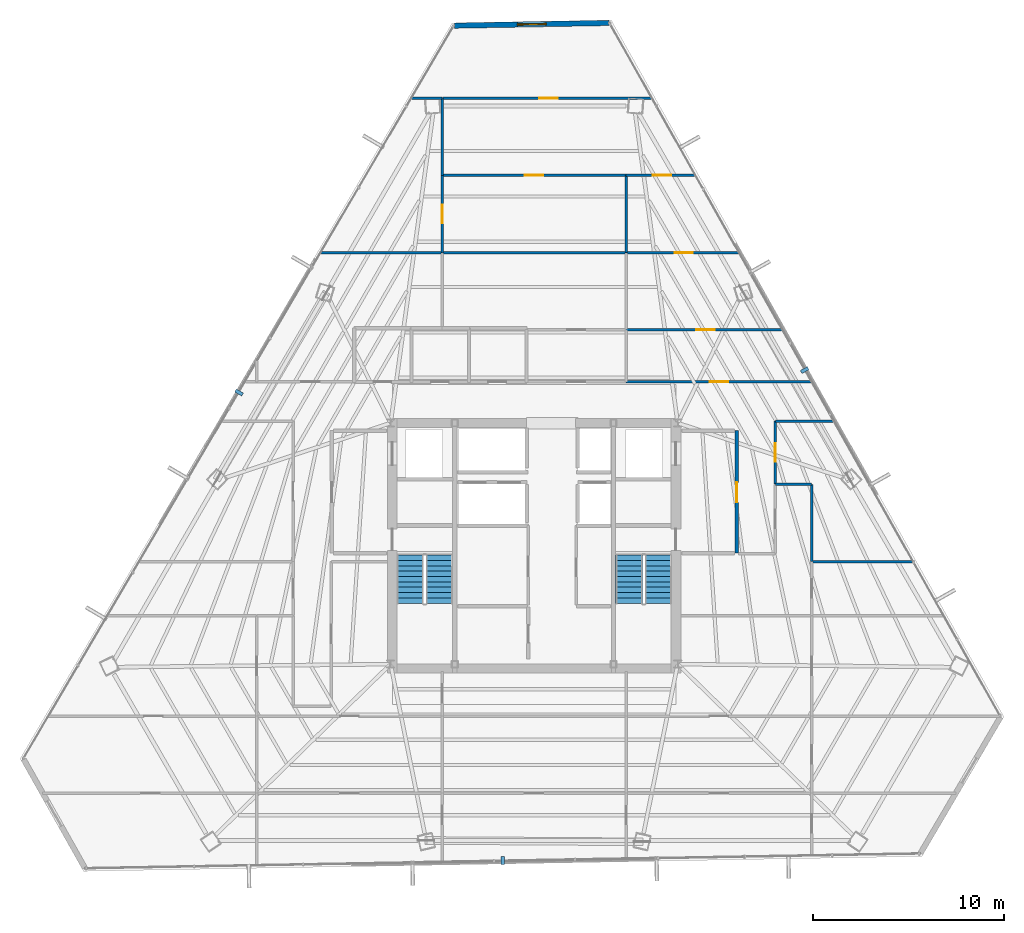
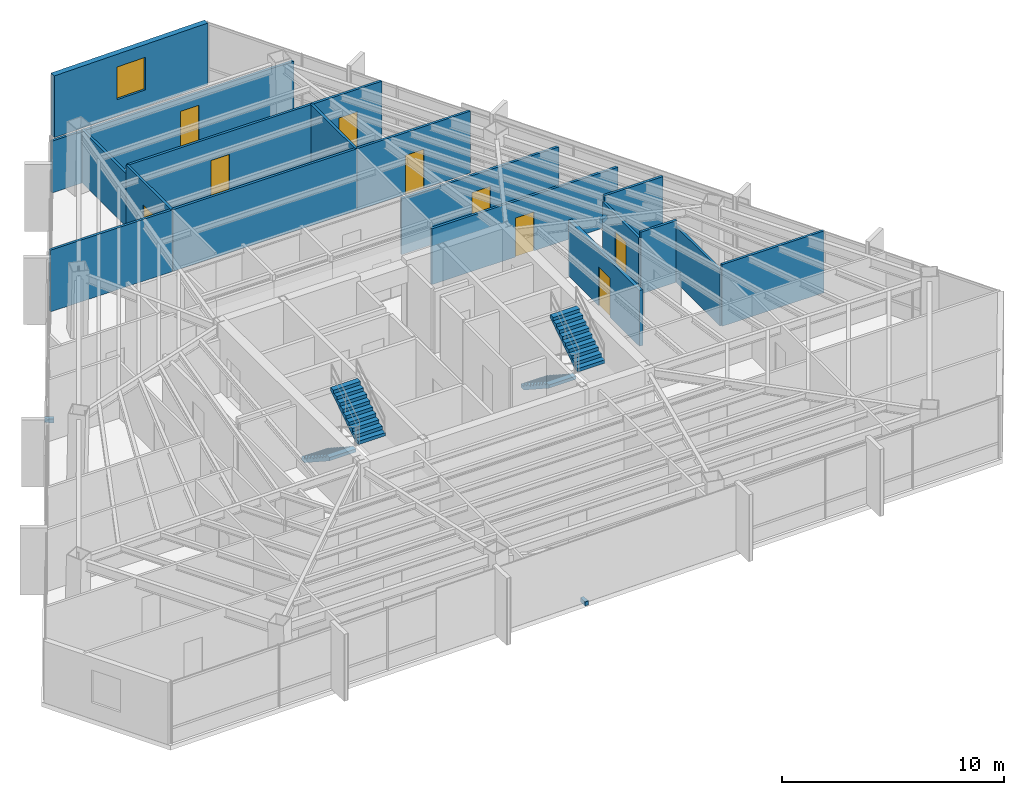
# One storey, part 38 of 42: 19 walls, 9 doors, 4 stair flights, 3 discrete accessories, 1 window, 10 openings, 2 elements without a shape of their own.
"""IFC4 building model written with IfcOpenShell, lengths in metres."""

from ifc_helpers import new_model, si_unit, direction, frame, frame_2d, origin, origin_2d, place, context, subcontext, project, spatial, polyline, rectangle, outline, extrude, source, transform, mapped, material, layer, layer_set, type_object, type_shapes, element, fill, aggregate, save


model = new_model("IFC4")

# Units and contexts
model_context = context("Model", 3, precision=1e-05, world=origin(), true_north=direction((0.0, 1.0)))
body_context = subcontext(model_context, "Body", "Model", "MODEL_VIEW")
ifc_project = project(units=[si_unit("LENGTHUNIT", "METRE"), si_unit("AREAUNIT", "SQUARE_METRE"), si_unit("VOLUMEUNIT", "CUBIC_METRE"), si_unit("PLANEANGLEUNIT", "RADIAN"), si_unit("MASSUNIT", "GRAM", prefix="KILO")], contexts=[model_context])

# Site, building, storey
site_placement = place(None, origin())
site = spatial("IfcSite", under=ifc_project, at=site_placement, CompositionType="ELEMENT")
building_placement = place(site_placement, origin())
building = spatial("IfcBuilding", under=site, at=building_placement, Name="Caelisora Broadcast Tower", CompositionType="ELEMENT")
storey_placement = place(building_placement, frame((0.0, 0.0, 195.0)))
storey = spatial("IfcBuildingStorey", under=building, at=storey_placement, Name="L51", CompositionType="ELEMENT", Elevation=195.0)

# Wall, opening, window
ifc_material_1 = material(Name="Insulated Terracotta Spandrel Wall System", Category="masonry")
ifc_layer_1 = layer(ifc_material_1, 0.280029296875, Name="Insulated Terracotta Spandrel Wall System")
ifc_layer_set_1 = layer_set([ifc_layer_1], Name="Insulated Terracotta Spandrel Wall System")
wall_type_1 = type_object("IfcWallType", Name="EW1", PredefinedType="STANDARD", material=ifc_layer_set_1)
wall_1_placement = place(storey_placement, frame((33.83203125, 50.763427734375, 0.0), z_axis=(0.0, 0.0, 1.0), x_axis=(0.999845453456, 0.017580364166, 0.0)))
wall_1 = element("IfcWall", 1, at=wall_1_placement, inside=storey, type_object=wall_type_1, Name="L51 exterior envelope wall EW1", PredefinedType="STANDARD", context=body_context, shape_type="SweptSolid", body=[
    extrude(rectangle(XDim=8.082275390625, YDim=0.280029296875, at=frame_2d((4.041015625, 0.0))), origin(), (0.0, 0.0, 1.0), 3.39990234375),
])
opening_1_placement = place(wall_1_placement, frame((3.2900390625, 0.0, 0.89990234375)))
opening_1 = element("IfcOpeningElement", 2, at=opening_1_placement, cuts=wall_1, Name="Opening W02", PredefinedType="OPENING", context=body_context, shape_type="SweptSolid", body=[
    extrude(rectangle(XDim=1.5, YDim=1.800048828125, at=frame_2d((0.75, 0.89990234375))), frame((0.0, 0.152099609375, 0.0), z_axis=(0.0, -1.0, 0.0), x_axis=(1.0, 0.0, 0.0)), (0.0, 0.0, 1.0), 0.303955078125),
])
ifc_material_2 = material(Name="Double Glazed Terracotta-Framed Vision Window", Category="glass")
window_type = type_object("IfcWindowType", Name="W02", PartitioningType="SINGLE_PANEL", PredefinedType="WINDOW", material=ifc_material_2)
window_placement = place(opening_1_placement, origin())
window = element("IfcWindow", 3, at=window_placement, inside=storey, type_object=window_type, Name="L51 window W02 (L51-WN-CH8)", OverallHeight=1.800048828125, OverallWidth=1.5, PartitioningType="SINGLE_PANEL", PredefinedType="WINDOW", context=body_context, shape_type="SweptSolid", body=[
    extrude(rectangle(XDim=1.5, YDim=1.800048828125, at=frame_2d((0.75, 0.89990234375))), frame((0.0, 0.030029296875, 0.0), z_axis=(0.0, -1.0, 0.0), x_axis=(1.0, 0.0, 0.0)), (0.0, 0.0, 1.0), 0.06005859375),
])
fill(opening_1, window)

# Wall, opening, door
ifc_material_3 = material(Name="Fire-Rated Gypsum Shaft and Compartment Wall", Category="gypsum")
ifc_layer_2 = layer(ifc_material_3, 0.179931640625, Name="Fire-Rated Gypsum Shaft and Compartment Wall")
ifc_layer_set_2 = layer_set([ifc_layer_2], Name="Fire-Rated Gypsum Shaft and Compartment Wall")
wall_type_2 = type_object("IfcWallType", Name="PW2", PredefinedType="PARTITIONING", material=ifc_layer_set_2)
wall_2_placement = place(storey_placement, frame((48.580078125, 23.199951171875, 0.0), z_axis=(0.0, 0.0, 1.0), x_axis=(0.0, 1.0, 0.0)))
wall_2 = element("IfcWall", 4, at=wall_2_placement, inside=storey, type_object=wall_type_2, Name="L51 fire compartment wall PW2", PredefinedType="PARTITIONING", context=body_context, shape_type="SweptSolid", body=[
    extrude(rectangle(XDim=6.400146484375, YDim=0.179931640625, at=frame_2d((3.2001953125, 0.0))), origin(), (0.0, 0.0, 1.0), 3.077880859375),
])
opening_2_placement = place(wall_2_placement, frame((2.64990234375, 0.0, 0.0)))
opening_2 = element("IfcOpeningElement", 5, at=opening_2_placement, cuts=wall_2, Name="Opening FD02", PredefinedType="OPENING", context=body_context, shape_type="SweptSolid", body=[
    extrude(rectangle(XDim=1.050048828125, YDim=2.14990234375, at=frame_2d((0.52490234375, 1.074951171875))), frame((0.0, 0.10205078125, 0.0), z_axis=(0.0, -1.0, 0.0), x_axis=(1.0, 0.0, 0.0)), (0.0, 0.0, 1.0), 0.203857421875),
])
ifc_material_4 = material(Name="Single-Leaf Steel Fire Lobby Door", Category="steel")
door_type_1 = type_object("IfcDoorType", Name="FD02", OperationType="NOTDEFINED", PredefinedType="DOOR", material=ifc_material_4)
door_1_placement = place(opening_2_placement, origin())
door_1 = element("IfcDoor", 6, at=door_1_placement, inside=storey, type_object=door_type_1, Name="L51 door FD02 (L51-DR-P04D1)", OperationType="SINGLE_SWING_RIGHT", OverallHeight=2.14990234375, OverallWidth=1.050048828125, PredefinedType="DOOR", context=body_context, shape_type="SweptSolid", body=[
    extrude(rectangle(XDim=1.050048828125, YDim=2.14990234375, at=frame_2d((0.52490234375, 1.074951171875))), frame((0.0, 0.02490234375, 0.0), z_axis=(0.0, -1.0, 0.0), x_axis=(1.0, 0.0, 0.0)), (0.0, 0.0, 1.0), 0.050048828125),
])
fill(opening_2, door_1)

ifc_material_5 = material(Name="Acoustic Steel-Stud Plasterboard Partition", Category="gypsum")
ifc_layer_3 = layer(ifc_material_5, 0.1298828125, Name="Acoustic Steel-Stud Plasterboard Partition")
ifc_layer_set_3 = layer_set([ifc_layer_3], Name="Acoustic Steel-Stud Plasterboard Partition")
wall_type_3 = type_object("IfcWallType", Name="PW3", PredefinedType="PARTITIONING", material=ifc_layer_set_3)
wall_3_placement = place(storey_placement, frame((33.205078125, 46.969970703125, 0.0), z_axis=(0.0, 0.0, 1.0), x_axis=(1.0, 0.0, 0.0)))
wall_3 = element("IfcWall", 7, at=wall_3_placement, inside=storey, type_object=wall_type_3, Name="L51 internal partition PW3", PredefinedType="PARTITIONING", context=body_context, shape_type="SweptSolid", body=[
    extrude(rectangle(XDim=10.96240234375, YDim=0.1298828125, at=frame_2d((5.481201171875, 0.0))), origin(), (0.0, 0.0, 1.0), 2.85205078125),
])
opening_3_placement = place(wall_3_placement, frame((5.05810546875, 0.0, 0.0)))
opening_3 = element("IfcOpeningElement", 8, at=opening_3_placement, cuts=wall_3, Name="Opening D01", PredefinedType="OPENING", context=body_context, shape_type="SweptSolid", body=[
    extrude(rectangle(XDim=0.9599609375, YDim=2.14990234375, at=frame_2d((0.47998046875, 1.074951171875))), frame((0.0, 0.076904296875, 0.0), z_axis=(0.0, -1.0, 0.0), x_axis=(1.0, 0.0, 0.0)), (0.0, 0.0, 1.0), 0.15380859375),
])
ifc_material_6 = material(Name="Solid-Core Timber Acoustic Office Door", Category="wood")
door_type_2 = type_object("IfcDoorType", Name="D01", OperationType="NOTDEFINED", PredefinedType="DOOR", material=ifc_material_6)
door_2_placement = place(opening_3_placement, origin())
door_2 = element("IfcDoor", 9, at=door_2_placement, inside=storey, type_object=door_type_2, Name="L51 door D01 (L51-DR-P26D1)", OperationType="SINGLE_SWING_RIGHT", OverallHeight=2.14990234375, OverallWidth=0.9599609375, PredefinedType="DOOR", context=body_context, shape_type="SweptSolid", body=[
    extrude(rectangle(XDim=0.9599609375, YDim=2.14990234375, at=frame_2d((0.47998046875, 1.074951171875))), frame((0.0, 0.02490234375, 0.0), z_axis=(0.0, -1.0, 0.0), x_axis=(1.0, 0.0, 0.0)), (0.0, 0.0, 1.0), 0.050048828125),
])
fill(opening_3, door_2)

wall_4_placement = place(storey_placement, frame((42.804931640625, 32.14990234375, 0.0), z_axis=(0.0, 0.0, 1.0), x_axis=(1.0, 0.0, 0.0)))
wall_4 = element("IfcWall", 10, at=wall_4_placement, inside=storey, type_object=wall_type_3, Name="L51 internal partition PW3", PredefinedType="PARTITIONING", context=body_context, shape_type="SweptSolid", body=[
    extrude(rectangle(XDim=9.695068359375, YDim=0.1298828125, at=frame_2d((4.84765625, 0.0))), origin(), (0.0, 0.0, 1.0), 3.077880859375),
])
opening_4_placement = place(wall_4_placement, frame((4.366943359375, 0.0, 0.0)))
opening_4 = element("IfcOpeningElement", 11, at=opening_4_placement, cuts=wall_4, Name="Opening D01", PredefinedType="OPENING", context=body_context, shape_type="SweptSolid", body=[
    extrude(rectangle(XDim=0.9599609375, YDim=2.14990234375, at=frame_2d((0.47998046875, 1.074951171875))), frame((0.0, 0.076904296875, 0.0), z_axis=(0.0, -1.0, 0.0), x_axis=(1.0, 0.0, 0.0)), (0.0, 0.0, 1.0), 0.15380859375),
])
door_3_placement = place(opening_4_placement, origin())
door_3 = element("IfcDoor", 12, at=door_3_placement, inside=storey, type_object=door_type_2, Name="L51 door D01 (L51-DR-P30D1)", OperationType="SINGLE_SWING_RIGHT", OverallHeight=2.14990234375, OverallWidth=0.9599609375, PredefinedType="DOOR", context=body_context, shape_type="SweptSolid", body=[
    extrude(rectangle(XDim=0.9599609375, YDim=2.14990234375, at=frame_2d((0.47998046875, 1.074951171875))), frame((0.0, 0.02490234375, 0.0), z_axis=(0.0, -1.0, 0.0), x_axis=(1.0, 0.0, 0.0)), (0.0, 0.0, 1.0), 0.050048828125),
])
fill(opening_4, door_3)

wall_5_placement = place(storey_placement, frame((33.205078125, 42.93994140625, 0.0), z_axis=(0.0, 0.0, 1.0), x_axis=(1.0, 0.0, 0.0)))
wall_5 = element("IfcWall", 13, at=wall_5_placement, inside=storey, type_object=wall_type_3, Name="L51 internal partition PW3", PredefinedType="PARTITIONING", context=body_context, shape_type="SweptSolid", body=[
    extrude(rectangle(XDim=9.58984375, YDim=0.1298828125, at=frame_2d((4.794921875, 0.0))), origin(), (0.0, 0.0, 1.0), 3.39990234375),
])
opening_5_placement = place(wall_5_placement, frame((4.31494140625, 0.0, 0.0)))
opening_5 = element("IfcOpeningElement", 14, at=opening_5_placement, cuts=wall_5, Name="Opening D01", PredefinedType="OPENING", context=body_context, shape_type="SweptSolid", body=[
    extrude(rectangle(XDim=0.9599609375, YDim=2.14990234375, at=frame_2d((0.47998046875, 1.074951171875))), frame((0.0, 0.076904296875, 0.0), z_axis=(0.0, -1.0, 0.0), x_axis=(1.0, 0.0, 0.0)), (0.0, 0.0, 1.0), 0.15380859375),
])
door_4_placement = place(opening_5_placement, origin())
door_4 = element("IfcDoor", 15, at=door_4_placement, inside=storey, type_object=door_type_2, Name="L51 door D01 (L51-DR-P37D1)", OperationType="SINGLE_SWING_RIGHT", OverallHeight=2.14990234375, OverallWidth=0.9599609375, PredefinedType="DOOR", context=body_context, shape_type="SweptSolid", body=[
    extrude(rectangle(XDim=0.9599609375, YDim=2.14990234375, at=frame_2d((0.47998046875, 1.074951171875))), frame((0.0, 0.02490234375, 0.0), z_axis=(0.0, -1.0, 0.0), x_axis=(1.0, 0.0, 0.0)), (0.0, 0.0, 1.0), 0.050048828125),
])
fill(opening_5, door_4)

# Wall
wall_6_placement = place(storey_placement, frame((33.205078125, 38.89990234375, 0.0), z_axis=(0.0, 0.0, 1.0), x_axis=(1.0, 0.0, 0.0)))
element("IfcWall", 16, at=wall_6_placement, inside=storey, type_object=wall_type_3, Name="L51 internal partition PW3", PredefinedType="PARTITIONING", context=body_context, shape_type="SweptSolid", body=[
    extrude(rectangle(XDim=9.58984375, YDim=0.1298828125, at=frame_2d((4.794921875, 0.0))), origin(), (0.0, 0.0, 1.0), 3.39990234375),
])

# Wall, opening, door
wall_7_placement = place(storey_placement, frame((42.804931640625, 34.8701171875, 0.0), z_axis=(0.0, 0.0, 1.0), x_axis=(1.0, 0.0, 0.0)))
wall_7 = element("IfcWall", 17, at=wall_7_placement, inside=storey, type_object=wall_type_3, Name="L51 internal partition PW3", PredefinedType="PARTITIONING", context=body_context, shape_type="SweptSolid", body=[
    extrude(rectangle(XDim=8.182373046875, YDim=0.1298828125, at=frame_2d((4.09130859375, 0.0))), origin(), (0.0, 0.0, 1.0), 3.077880859375),
])
opening_6_placement = place(wall_7_placement, frame((3.66796875, 0.0, 0.0)))
opening_6 = element("IfcOpeningElement", 18, at=opening_6_placement, cuts=wall_7, Name="Opening D01", PredefinedType="OPENING", context=body_context, shape_type="SweptSolid", body=[
    extrude(rectangle(XDim=0.9599609375, YDim=2.14990234375, at=frame_2d((0.47998046875, 1.074951171875))), frame((0.0, 0.076904296875, 0.0), z_axis=(0.0, -1.0, 0.0), x_axis=(1.0, 0.0, 0.0)), (0.0, 0.0, 1.0), 0.15380859375),
])
door_5_placement = place(opening_6_placement, origin())
door_5 = element("IfcDoor", 19, at=door_5_placement, inside=storey, type_object=door_type_2, Name="L51 door D01 (L51-DR-P40D1)", OperationType="SINGLE_SWING_LEFT", OverallHeight=2.14990234375, OverallWidth=0.9599609375, PredefinedType="DOOR", context=body_context, shape_type="SweptSolid", body=[
    extrude(rectangle(XDim=0.9599609375, YDim=2.14990234375, at=frame_2d((0.47998046875, 1.074951171875))), frame((0.0, 0.02490234375, 0.0), z_axis=(0.0, -1.0, 0.0), x_axis=(1.0, 0.0, 0.0)), (0.0, 0.0, 1.0), 0.050048828125),
])
fill(opening_6, door_5)

# Wall
wall_8_placement = place(storey_placement, frame((26.830078125, 38.89990234375, 0.0), z_axis=(0.0, 0.0, 1.0), x_axis=(1.0, 0.0, 0.0)))
element("IfcWall", 20, at=wall_8_placement, inside=storey, type_object=wall_type_3, Name="L51 internal partition PW3", PredefinedType="PARTITIONING", context=body_context, shape_type="SweptSolid", body=[
    extrude(rectangle(XDim=6.364990234375, YDim=0.1298828125, at=frame_2d((3.1826171875, 0.0))), origin(), (0.0, 0.0, 1.0), 3.39990234375),
])

# Wall, opening, door
wall_9_placement = place(storey_placement, frame((42.804931640625, 38.89990234375, 0.0), z_axis=(0.0, 0.0, 1.0), x_axis=(1.0, 0.0, 0.0)))
wall_9 = element("IfcWall", 21, at=wall_9_placement, inside=storey, type_object=wall_type_3, Name="L51 internal partition PW3", PredefinedType="PARTITIONING", context=body_context, shape_type="SweptSolid", body=[
    extrude(rectangle(XDim=5.9111328125, YDim=0.1298828125, at=frame_2d((2.95556640625, 0.0))), origin(), (0.0, 0.0, 1.0), 3.39990234375),
])
opening_7_placement = place(wall_9_placement, frame((2.528076171875, 0.0, 0.0)))
opening_7 = element("IfcOpeningElement", 22, at=opening_7_placement, cuts=wall_9, Name="Opening D01", PredefinedType="OPENING", context=body_context, shape_type="SweptSolid", body=[
    extrude(rectangle(XDim=0.9599609375, YDim=2.14990234375, at=frame_2d((0.47998046875, 1.074951171875))), frame((0.0, 0.076904296875, 0.0), z_axis=(0.0, -1.0, 0.0), x_axis=(1.0, 0.0, 0.0)), (0.0, 0.0, 1.0), 0.15380859375),
])
door_6_placement = place(opening_7_placement, origin())
door_6 = element("IfcDoor", 23, at=door_6_placement, inside=storey, type_object=door_type_2, Name="L51 door D01 (L51-DR-P49D1)", OperationType="SINGLE_SWING_RIGHT", OverallHeight=2.14990234375, OverallWidth=0.9599609375, PredefinedType="DOOR", context=body_context, shape_type="SweptSolid", body=[
    extrude(rectangle(XDim=0.9599609375, YDim=2.14990234375, at=frame_2d((0.47998046875, 1.074951171875))), frame((0.0, 0.02490234375, 0.0), z_axis=(0.0, -1.0, 0.0), x_axis=(1.0, 0.0, 0.0)), (0.0, 0.0, 1.0), 0.050048828125),
])
fill(opening_7, door_6)

# Walls
wall_10_placement = place(storey_placement, frame((52.5048828125, 22.760009765625, 0.0), z_axis=(0.0, 0.0, 1.0), x_axis=(1.0, 0.0, 0.0)))
element("IfcWall", 24, at=wall_10_placement, inside=storey, type_object=wall_type_3, Name="L51 internal partition PW3", PredefinedType="PARTITIONING", context=body_context, shape_type="SweptSolid", body=[
    extrude(rectangle(XDim=5.307861328125, YDim=0.1298828125, at=frame_2d((2.65380859375, 0.0))), origin(), (0.0, 0.0, 1.0), 3.39990234375),
])
wall_11_placement = place(storey_placement, frame((52.5, 22.764892578125, 0.0), z_axis=(0.0, 0.0, 1.0), x_axis=(0.0, 1.0, 0.0)))
element("IfcWall", 25, at=wall_11_placement, inside=storey, type_object=wall_type_3, Name="L51 internal partition PW3", PredefinedType="PARTITIONING", context=body_context, shape_type="SweptSolid", body=[
    extrude(rectangle(XDim=4.030029296875, YDim=0.1298828125, at=frame_2d((2.01513671875, 0.0))), origin(), (0.0, 0.0, 1.0), 3.077880859375),
])
wall_12_placement = place(storey_placement, frame((42.800048828125, 38.905029296875, 0.0), z_axis=(0.0, 0.0, 1.0), x_axis=(0.0, 1.0, 0.0)))
element("IfcWall", 26, at=wall_12_placement, inside=storey, type_object=wall_type_3, Name="L51 internal partition PW3", PredefinedType="PARTITIONING", context=body_context, shape_type="SweptSolid", body=[
    extrude(rectangle(XDim=4.030029296875, YDim=0.1298828125, at=frame_2d((2.01513671875, 0.0))), origin(), (0.0, 0.0, 1.0), 3.39990234375),
])

# Wall, opening, door
wall_13_placement = place(storey_placement, frame((33.199951171875, 38.905029296875, 0.0), z_axis=(0.0, 0.0, 1.0), x_axis=(0.0, 1.0, 0.0)))
wall_13 = element("IfcWall", 27, at=wall_13_placement, inside=storey, type_object=wall_type_3, Name="L51 internal partition PW3", PredefinedType="PARTITIONING", context=body_context, shape_type="SweptSolid", body=[
    extrude(rectangle(XDim=4.030029296875, YDim=0.1298828125, at=frame_2d((2.01513671875, 0.0))), origin(), (0.0, 0.0, 1.0), 3.39990234375),
])
opening_8_placement = place(wall_13_placement, frame((1.534912109375, 0.0, 0.0)))
opening_8 = element("IfcOpeningElement", 28, at=opening_8_placement, cuts=wall_13, Name="Opening D01", PredefinedType="OPENING", context=body_context, shape_type="SweptSolid", body=[
    extrude(rectangle(XDim=0.9599609375, YDim=2.14990234375, at=frame_2d((0.47998046875, 1.074951171875))), frame((0.0, 0.076904296875, 0.0), z_axis=(0.0, -1.0, 0.0), x_axis=(1.0, 0.0, 0.0)), (0.0, 0.0, 1.0), 0.15380859375),
])
door_7_placement = place(opening_8_placement, origin())
door_7 = element("IfcDoor", 29, at=door_7_placement, inside=storey, type_object=door_type_2, Name="L51 door D01 (L51-DR-P59D1)", OperationType="SINGLE_SWING_RIGHT", OverallHeight=2.14990234375, OverallWidth=0.9599609375, PredefinedType="DOOR", context=body_context, shape_type="SweptSolid", body=[
    extrude(rectangle(XDim=0.9599609375, YDim=2.14990234375, at=frame_2d((0.47998046875, 1.074951171875))), frame((0.0, 0.02490234375, 0.0), z_axis=(0.0, -1.0, 0.0), x_axis=(1.0, 0.0, 0.0)), (0.0, 0.0, 1.0), 0.050048828125),
])
fill(opening_8, door_7)

# Wall
wall_14_placement = place(storey_placement, frame((33.199951171875, 42.945068359375, 0.0), z_axis=(0.0, 0.0, 1.0), x_axis=(0.0, 1.0, 0.0)))
element("IfcWall", 30, at=wall_14_placement, inside=storey, type_object=wall_type_3, Name="L51 internal partition PW3", PredefinedType="PARTITIONING", context=body_context, shape_type="SweptSolid", body=[
    extrude(rectangle(XDim=4.02001953125, YDim=0.1298828125, at=frame_2d((2.010009765625, 0.0))), origin(), (0.0, 0.0, 1.0), 2.924560546875),
])

# Wall, opening, door
wall_15_placement = place(storey_placement, frame((42.804931640625, 42.93994140625, 0.0), z_axis=(0.0, 0.0, 1.0), x_axis=(1.0, 0.0, 0.0)))
wall_15 = element("IfcWall", 31, at=wall_15_placement, inside=storey, type_object=wall_type_3, Name="L51 internal partition PW3", PredefinedType="PARTITIONING", context=body_context, shape_type="SweptSolid", body=[
    extrude(rectangle(XDim=3.634033203125, YDim=0.1298828125, at=frame_2d((1.81689453125, 0.0))), origin(), (0.0, 0.0, 1.0), 3.39990234375),
])
opening_9_placement = place(wall_15_placement, frame((1.39208984375, 0.0, 0.0)))
opening_9 = element("IfcOpeningElement", 32, at=opening_9_placement, cuts=wall_15, Name="Opening D01", PredefinedType="OPENING", context=body_context, shape_type="SweptSolid", body=[
    extrude(rectangle(XDim=0.9599609375, YDim=2.14990234375, at=frame_2d((0.47998046875, 1.074951171875))), frame((0.0, 0.076904296875, 0.0), z_axis=(0.0, -1.0, 0.0), x_axis=(1.0, 0.0, 0.0)), (0.0, 0.0, 1.0), 0.15380859375),
])
door_8_placement = place(opening_9_placement, origin())
door_8 = element("IfcDoor", 33, at=door_8_placement, inside=storey, type_object=door_type_2, Name="L51 door D01 (L51-DR-P69D1)", OperationType="SINGLE_SWING_RIGHT", OverallHeight=2.14990234375, OverallWidth=0.9599609375, PredefinedType="DOOR", context=body_context, shape_type="SweptSolid", body=[
    extrude(rectangle(XDim=0.9599609375, YDim=2.14990234375, at=frame_2d((0.47998046875, 1.074951171875))), frame((0.0, 0.02490234375, 0.0), z_axis=(0.0, -1.0, 0.0), x_axis=(1.0, 0.0, 0.0)), (0.0, 0.0, 1.0), 0.050048828125),
])
fill(opening_9, door_8)

wall_16_placement = place(storey_placement, frame((50.60009765625, 26.804931640625, 0.0), z_axis=(0.0, 0.0, 1.0), x_axis=(0.0, 1.0, 0.0)))
wall_16 = element("IfcWall", 34, at=wall_16_placement, inside=storey, type_object=wall_type_3, Name="L51 internal partition PW3", PredefinedType="PARTITIONING", context=body_context, shape_type="SweptSolid", body=[
    extrude(rectangle(XDim=3.2900390625, YDim=0.1298828125, at=frame_2d((1.64501953125, 0.0))), origin(), (0.0, 0.0, 1.0), 3.077880859375),
])
opening_10_placement = place(wall_16_placement, frame((1.1650390625, 0.0, 0.0)))
opening_10 = element("IfcOpeningElement", 35, at=opening_10_placement, cuts=wall_16, Name="Opening D01", PredefinedType="OPENING", context=body_context, shape_type="SweptSolid", body=[
    extrude(rectangle(XDim=0.9599609375, YDim=2.14990234375, at=frame_2d((0.47998046875, 1.074951171875))), frame((0.0, 0.076904296875, 0.0), z_axis=(0.0, -1.0, 0.0), x_axis=(1.0, 0.0, 0.0)), (0.0, 0.0, 1.0), 0.15380859375),
])
door_9_placement = place(opening_10_placement, origin())
door_9 = element("IfcDoor", 36, at=door_9_placement, inside=storey, type_object=door_type_2, Name="L51 door D01 (L51-DR-P74D1)", OperationType="SINGLE_SWING_LEFT", OverallHeight=2.14990234375, OverallWidth=0.9599609375, PredefinedType="DOOR", context=body_context, shape_type="SweptSolid", body=[
    extrude(rectangle(XDim=0.9599609375, YDim=2.14990234375, at=frame_2d((0.47998046875, 1.074951171875))), frame((0.0, 0.02490234375, 0.0), z_axis=(0.0, -1.0, 0.0), x_axis=(1.0, 0.0, 0.0)), (0.0, 0.0, 1.0), 0.050048828125),
])
fill(opening_10, door_9)

# Walls
wall_17_placement = place(storey_placement, frame((50.60498046875, 30.10009765625, 0.0), z_axis=(0.0, 0.0, 1.0), x_axis=(1.0, 0.0, 0.0)))
element("IfcWall", 37, at=wall_17_placement, inside=storey, type_object=wall_type_3, Name="L51 internal partition PW3", PredefinedType="PARTITIONING", context=body_context, shape_type="SweptSolid", body=[
    extrude(rectangle(XDim=3.07080078125, YDim=0.1298828125, at=frame_2d((1.535400390625, 0.0))), origin(), (0.0, 0.0, 1.0), 3.39990234375),
])
wall_18_placement = place(storey_placement, frame((52.4951171875, 26.800048828125, 0.0), z_axis=(0.0, 0.0, 1.0), x_axis=(-1.0, 0.0, 0.0)))
element("IfcWall", 38, at=wall_18_placement, inside=storey, type_object=wall_type_3, Name="L51 internal partition PW3", PredefinedType="PARTITIONING", context=body_context, shape_type="SweptSolid", body=[
    extrude(rectangle(XDim=1.89013671875, YDim=0.1298828125, at=frame_2d((0.945068359375, 0.0))), origin(), (0.0, 0.0, 1.0), 3.39990234375),
])
wall_19_placement = place(storey_placement, frame((31.56884765625, 46.969970703125, 0.0), z_axis=(0.0, 0.0, 1.0), x_axis=(1.0, 0.0, 0.0)))
element("IfcWall", 39, at=wall_19_placement, inside=storey, type_object=wall_type_3, Name="L51 internal partition PW3", PredefinedType="PARTITIONING", context=body_context, shape_type="SweptSolid", body=[
    extrude(rectangle(XDim=1.626220703125, YDim=0.1298828125, at=frame_2d((0.81298828125, 0.0))), origin(), (0.0, 0.0, 1.0), 2.85205078125),
])

# Stair, stair flights
ifc_material_7 = material(Name="Concrete 40 MPa (AS 3600 N40)", Category="concrete")
stair_type_1 = type_object("IfcStairType", Name="ST-1", PredefinedType="HALF_TURN_STAIR", material=ifc_material_7)
stair_1_placement = place(storey_placement, origin())
stair_1 = element("IfcStair", 40, at=stair_1_placement, inside=storey, type_object=stair_type_1, Name="L51 West Fire-Isolated Tower Stair", PredefinedType="HALF_TURN_STAIR")
stair_flight_type = type_object("IfcStairFlightType", Name="STF-3", PredefinedType="STRAIGHT", material=ifc_material_7)
stair_flight_1_placement = place(storey_placement, frame((31.52001953125, 23.10009765625, 0.0), z_axis=(0.0, 0.0, 1.0), x_axis=(0.0, -1.0, 0.0)))
stair_flight_1 = element("IfcStairFlight", 41, at=stair_flight_1_placement, type_object=stair_flight_type, Name="ST-1 flight 1", NumberOfRisers=10, NumberOfTreads=9, PredefinedType="STRAIGHT", RiserHeight=0.1825, TreadLength=0.28, context=body_context, shape_type="SweptSolid", body=[
    extrude(outline(polyline([(0.0, 0.0), (0.0, 0.1826171875), (0.280029296875, 0.1826171875), (0.280029296875, 0.364990234375), (0.56005859375, 0.364990234375), (0.56005859375, 0.547607421875), (0.840087890625, 0.547607421875), (0.840087890625, 0.72998046875), (1.1201171875, 0.72998046875), (1.1201171875, 0.91259765625), (1.39990234375, 0.91259765625), (1.39990234375, 1.094970703125), (1.679931640625, 1.094970703125), (1.679931640625, 1.277587890625), (1.9599609375, 1.277587890625), (1.9599609375, 1.4599609375), (2.239990234375, 1.4599609375), (2.239990234375, 1.642578125), (2.52001953125, 1.642578125), (2.52001953125, 1.824951171875), (2.52001953125, 1.463623046875), (0.2744140625, 0.0), (0.0, 0.0)])), frame((0.0, 0.699951171875, 0.0), z_axis=(0.0, -1.0, 0.0), x_axis=(1.0, 0.0, 0.0)), (0.0, 0.0, 1.0), 1.39990234375),
])
stair_flight_2_placement = place(storey_placement, frame((33.0400390625, 20.580078125, 1.824951171875), z_axis=(0.0, 0.0, 1.0), x_axis=(0.0, 1.0, 0.0)))
stair_flight_2 = element("IfcStairFlight", 42, at=stair_flight_2_placement, type_object=stair_flight_type, Name="ST-1 flight 2", NumberOfRisers=10, NumberOfTreads=9, PredefinedType="STRAIGHT", RiserHeight=0.1825, TreadLength=0.28, context=body_context, shape_type="SweptSolid", body=[
    extrude(outline(polyline([(0.0, 0.0), (0.0, 0.1826171875), (0.280029296875, 0.1826171875), (0.280029296875, 0.364990234375), (0.56005859375, 0.364990234375), (0.56005859375, 0.547607421875), (0.840087890625, 0.547607421875), (0.840087890625, 0.72998046875), (1.1201171875, 0.72998046875), (1.1201171875, 0.91259765625), (1.39990234375, 0.91259765625), (1.39990234375, 1.094970703125), (1.679931640625, 1.094970703125), (1.679931640625, 1.277587890625), (1.9599609375, 1.277587890625), (1.9599609375, 1.4599609375), (2.239990234375, 1.4599609375), (2.239990234375, 1.642578125), (2.52001953125, 1.642578125), (2.52001953125, 1.824951171875), (2.52001953125, 1.463623046875), (0.2744140625, 0.0), (0.0, 0.0)])), frame((0.0, 0.699951171875, 0.0), z_axis=(0.0, -1.0, 0.0), x_axis=(1.0, 0.0, 0.0)), (0.0, 0.0, 1.0), 1.39990234375),
])
aggregate(stair_1, [stair_flight_1, stair_flight_2])

stair_type_2 = type_object("IfcStairType", Name="ST-2", PredefinedType="HALF_TURN_STAIR", material=ifc_material_7)
stair_2_placement = place(storey_placement, origin())
stair_2 = element("IfcStair", 43, at=stair_2_placement, inside=storey, type_object=stair_type_2, Name="L51 East Fire-Isolated Tower Stair", PredefinedType="HALF_TURN_STAIR")
stair_flight_3_placement = place(storey_placement, frame((42.9599609375, 23.10009765625, 0.0), z_axis=(0.0, 0.0, 1.0), x_axis=(0.0, -1.0, 0.0)))
stair_flight_3 = element("IfcStairFlight", 44, at=stair_flight_3_placement, type_object=stair_flight_type, Name="ST-2 flight 1", NumberOfRisers=10, NumberOfTreads=9, PredefinedType="STRAIGHT", RiserHeight=0.1825, TreadLength=0.28, context=body_context, shape_type="SweptSolid", body=[
    extrude(outline(polyline([(0.0, 0.0), (0.0, 0.1826171875), (0.280029296875, 0.1826171875), (0.280029296875, 0.364990234375), (0.56005859375, 0.364990234375), (0.56005859375, 0.547607421875), (0.840087890625, 0.547607421875), (0.840087890625, 0.72998046875), (1.1201171875, 0.72998046875), (1.1201171875, 0.91259765625), (1.39990234375, 0.91259765625), (1.39990234375, 1.094970703125), (1.679931640625, 1.094970703125), (1.679931640625, 1.277587890625), (1.9599609375, 1.277587890625), (1.9599609375, 1.4599609375), (2.239990234375, 1.4599609375), (2.239990234375, 1.642578125), (2.52001953125, 1.642578125), (2.52001953125, 1.824951171875), (2.52001953125, 1.463623046875), (0.2744140625, 0.0), (0.0, 0.0)])), frame((0.0, 0.699951171875, 0.0), z_axis=(0.0, -1.0, 0.0), x_axis=(1.0, 0.0, 0.0)), (0.0, 0.0, 1.0), 1.39990234375),
])
stair_flight_4_placement = place(storey_placement, frame((44.47998046875, 20.580078125, 1.824951171875), z_axis=(0.0, 0.0, 1.0), x_axis=(0.0, 1.0, 0.0)))
stair_flight_4 = element("IfcStairFlight", 45, at=stair_flight_4_placement, type_object=stair_flight_type, Name="ST-2 flight 2", NumberOfRisers=10, NumberOfTreads=9, PredefinedType="STRAIGHT", RiserHeight=0.1825, TreadLength=0.28, context=body_context, shape_type="SweptSolid", body=[
    extrude(outline(polyline([(0.0, 0.0), (0.0, 0.1826171875), (0.280029296875, 0.1826171875), (0.280029296875, 0.364990234375), (0.56005859375, 0.364990234375), (0.56005859375, 0.547607421875), (0.840087890625, 0.547607421875), (0.840087890625, 0.72998046875), (1.1201171875, 0.72998046875), (1.1201171875, 0.91259765625), (1.39990234375, 0.91259765625), (1.39990234375, 1.094970703125), (1.679931640625, 1.094970703125), (1.679931640625, 1.277587890625), (1.9599609375, 1.277587890625), (1.9599609375, 1.4599609375), (2.239990234375, 1.4599609375), (2.239990234375, 1.642578125), (2.52001953125, 1.642578125), (2.52001953125, 1.824951171875), (2.52001953125, 1.463623046875), (0.2744140625, 0.0), (0.0, 0.0)])), frame((0.0, 0.699951171875, 0.0), z_axis=(0.0, -1.0, 0.0), x_axis=(1.0, 0.0, 0.0)), (0.0, 0.0, 1.0), 1.39990234375),
])
aggregate(stair_2, [stair_flight_3, stair_flight_4])

# Discrete accessories
ifc_material_8 = material(Name="Steel Grade 350 (AS/NZS 3679.1)", Category="steel")
discrete_accessory_type = type_object("IfcDiscreteAccessoryType", Name="BRK-1", PredefinedType="BRACKET", material=ifc_material_8)
shared_shape = source(origin(), body_context, "Body", "SweptSolid", [
    extrude(rectangle(XDim=0.179931640625, YDim=0.419921875, at=origin_2d()), origin(), (0.0, 0.0, 1.0), 0.219970703125),
])
type_shapes(discrete_accessory_type, [shared_shape])
for number, where, z_axis, x_axis, name in (
    (46, (22.57958984375, 31.593017578125, -0.16015625), (0.0, 0.0, 1.0), (-0.506334807353, -0.862336977557, 0.0), "L51 solar screen outrigger bracket #1"),
    (47, (36.353271484375, 7.1435546875, -0.16015625), (0.0, 0.0, 1.0), (0.999841542203, 0.017801418053, 0.0), "L51 solar screen outrigger bracket #2"),
    (48, (52.13330078125, 32.765625, -0.16015625), (0.0, 0.0, 1.0), (-0.491055801632, 0.871128118983, 0.0), "L51 solar screen outrigger bracket #3"),
):
    element("IfcDiscreteAccessory", number, at=place(storey_placement, frame(where, z_axis=z_axis, x_axis=x_axis)), inside=storey, type_object=discrete_accessory_type, Name=name, PredefinedType="BRACKET", context=body_context, shape_type="MappedRepresentation", body=[
        mapped(shared_shape, transform((0.0, 0.0, 0.0), scale=1.0)),
    ])

save(model, "model.ifc")
